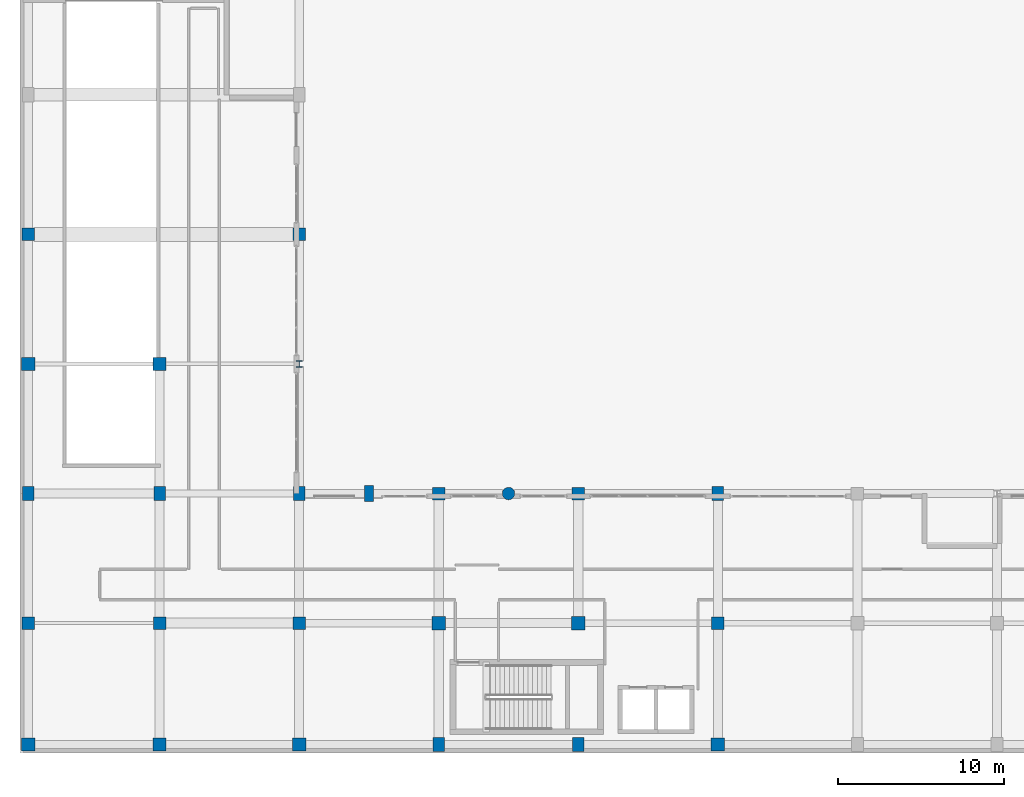
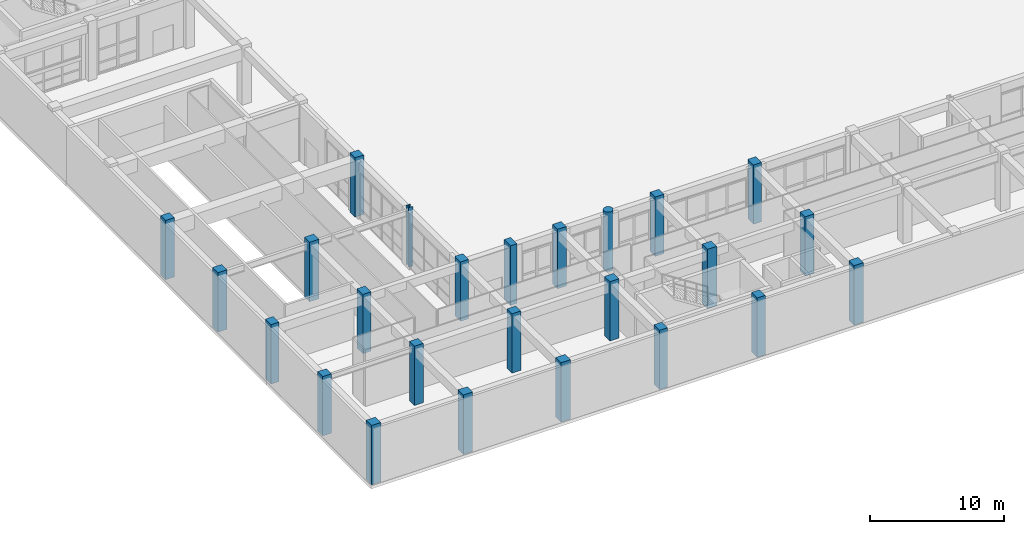
# One storey, part 1 of 148: 25 columns.
"""IFC4 building model written with IfcOpenShell, lengths in metres."""

from ifc_helpers import new_model, si_unit, direction, frame, origin, origin_2d, place, context, subcontext, project, spatial, rectangle, circle, i_section, extrude, material, material_profile, profile_set, type_object, element, save


model = new_model("IFC4")

# Units and contexts
model_context = context("Model", 3, precision=1e-05, world=origin(), true_north=direction((0.0, 1.0)))
body_context = subcontext(model_context, "Body", "Model", "MODEL_VIEW")
ifc_project = project(units=[si_unit("LENGTHUNIT", "METRE"), si_unit("AREAUNIT", "SQUARE_METRE"), si_unit("VOLUMEUNIT", "CUBIC_METRE"), si_unit("PLANEANGLEUNIT", "RADIAN"), si_unit("MASSUNIT", "GRAM", prefix="KILO")], contexts=[model_context])

# Site, building, storey
site_placement = place(None, origin())
site = spatial("IfcSite", under=ifc_project, at=site_placement, CompositionType="ELEMENT")
building_placement = place(site_placement, origin())
building = spatial("IfcBuilding", under=site, at=building_placement, Name="Quendrovan Civic Courthouse", CompositionType="ELEMENT")
storey_placement = place(building_placement, origin())
storey = spatial("IfcBuildingStorey", under=building, at=storey_placement, Name="L01", CompositionType="ELEMENT", Elevation=0.0)

# Columns
ifc_material_1 = material(Name="Precast concrete C45/55", Category="concrete")
ifc_material_profile_1 = material_profile(ifc_material_1, circle(Radius=0.375, at=origin_2d()), Name="RC-ARCADE-D750")
ifc_profile_set_1 = profile_set([ifc_material_profile_1], Name="Precast concrete C45/55")
column_type_1 = type_object("IfcColumnType", Name="COL-ARC750", PredefinedType="PILASTER", material=ifc_profile_set_1)
column_1_placement = place(storey_placement, frame((29.39990234375, 15.60009765625, 0.0), z_axis=(0.0, 0.0, 1.0), x_axis=(1.0, 0.0, 0.0)))
element("IfcColumn", 1, at=column_1_placement, inside=storey, type_object=column_type_1, Name="L01 Column PIL-C6", PredefinedType="PILASTER", context=body_context, shape_type="SweptSolid", body=[
    extrude(circle(Radius=0.375, at=origin_2d()), origin(), (0.0, 0.0, 1.0), 5.39990234375),
])
ifc_material_2 = material(Name="Concrete C45/55", Category="concrete")
ifc_material_profile_2 = material_profile(ifc_material_2, rectangle(XDim=0.550048828125, YDim=0.949951171875, at=origin_2d()), Name="RC-PIER-550x950")
ifc_profile_set_2 = profile_set([ifc_material_profile_2], Name="Concrete C45/55")
column_type_2 = type_object("IfcColumnType", Name="COL-PIER950", PredefinedType="PILASTER", material=ifc_profile_set_2)
column_2_placement = place(storey_placement, frame((21.0, 15.60009765625, 0.0), z_axis=(0.0, 0.0, 1.0), x_axis=(1.0, 0.0, 0.0)))
element("IfcColumn", 2, at=column_2_placement, inside=storey, type_object=column_type_2, Name="L01 Column PIL-C5", PredefinedType="PILASTER", context=body_context, shape_type="SweptSolid", body=[
    extrude(rectangle(XDim=0.550048828125, YDim=0.949951171875, at=origin_2d()), origin(), (0.0, 0.0, 1.0), 5.39990234375),
])
ifc_material_3 = material(Name="Concrete C40/50", Category="concrete")
ifc_material_profile_3 = material_profile(ifc_material_3, rectangle(XDim=0.699951171875, YDim=0.85009765625, at=origin_2d()), Name="RC-COL-700x850")
ifc_profile_set_3 = profile_set([ifc_material_profile_3], Name="Concrete C40/50")
column_type_3 = type_object("IfcColumnType", Name="COL-RC-700x850", PredefinedType="COLUMN", material=ifc_profile_set_3)
for number, where, z_axis, x_axis, name in (
    (3, (0.5, 15.60009765625, 0.0), (0.0, 0.0, 1.0), (1.0, 0.0, 0.0), "L01 Column 1-C"),
    (4, (8.39990234375, 15.60009765625, 0.0), (0.0, 0.0, 1.0), (1.0, 0.0, 0.0), "L01 Column 2-C"),
    (5, (16.800048828125, 15.60009765625, 0.0), (0.0, 0.0, 1.0), (1.0, 0.0, 0.0), "L01 Column 3-C"),
    (6, (25.199951171875, 0.5, 0.0), (0.0, 0.0, 1.0), (1.0, 0.0, 0.0), "L01 Column 4-A"),
    (7, (33.60009765625, 0.5, 0.0), (0.0, 0.0, 1.0), (1.0, 0.0, 0.0), "L01 Column 5-A"),
    (8, (42.0, 15.60009765625, 0.0), (0.0, 0.0, 1.0), (1.0, 0.0, 0.0), "L01 Column 6-C"),
):
    element("IfcColumn", number, at=place(storey_placement, frame(where, z_axis=z_axis, x_axis=x_axis)), inside=storey, type_object=column_type_3, Name=name, PredefinedType="COLUMN", context=body_context, shape_type="SweptSolid", body=[
        extrude(rectangle(XDim=0.699951171875, YDim=0.85009765625, at=origin_2d()), origin(), (0.0, 0.0, 1.0), 5.39990234375),
    ])
ifc_material_profile_4 = material_profile(ifc_material_2, rectangle(XDim=0.75, YDim=0.75, at=origin_2d()), Name="RC-COL-750x750")
ifc_profile_set_4 = profile_set([ifc_material_profile_4], Name="Concrete C45/55")
column_type_4 = type_object("IfcColumnType", Name="COL-RC750", PredefinedType="COLUMN", material=ifc_profile_set_4)
for number, where, z_axis, x_axis, name in (
    (9, (0.5, 7.800048828125, 0.0), (0.0, 0.0, 1.0), (1.0, 0.0, 0.0), "L01 Column 1-B"),
    (10, (0.5, 31.199951171875, 0.0), (0.0, 0.0, 1.0), (1.0, 0.0, 0.0), "L01 Column 1-E"),
    (11, (8.39990234375, 7.800048828125, 0.0), (0.0, 0.0, 1.0), (1.0, 0.0, 0.0), "L01 Column 2-B"),
    (12, (16.800048828125, 7.800048828125, 0.0), (0.0, 0.0, 1.0), (1.0, 0.0, 0.0), "L01 Column 3-B"),
    (13, (16.800048828125, 31.199951171875, 0.0), (0.0, 0.0, 1.0), (1.0, 0.0, 0.0), "L01 Column 3-E"),
    (14, (25.199951171875, 15.60009765625, 0.0), (0.0, 0.0, 1.0), (1.0, 0.0, 0.0), "L01 Column 4-C"),
    (15, (33.60009765625, 15.60009765625, 0.0), (0.0, 0.0, 1.0), (1.0, 0.0, 0.0), "L01 Column 5-C"),
    (16, (42.0, 7.800048828125, 0.0), (0.0, 0.0, 1.0), (1.0, 0.0, 0.0), "L01 Column 6-B"),
):
    element("IfcColumn", number, at=place(storey_placement, frame(where, z_axis=z_axis, x_axis=x_axis)), inside=storey, type_object=column_type_4, Name=name, PredefinedType="COLUMN", context=body_context, shape_type="SweptSolid", body=[
        extrude(rectangle(XDim=0.75, YDim=0.75, at=origin_2d()), origin(), (0.0, 0.0, 1.0), 5.39990234375),
    ])
ifc_material_profile_5 = material_profile(ifc_material_2, rectangle(XDim=0.800048828125, YDim=0.800048828125, at=origin_2d()), Name="RC-COL-800x800")
ifc_profile_set_5 = profile_set([ifc_material_profile_5], Name="Concrete C45/55")
column_type_5 = type_object("IfcColumnType", Name="COL-RC800", PredefinedType="COLUMN", material=ifc_profile_set_5)
for number, where, z_axis, x_axis, name in (
    (17, (0.5, 0.5, 0.0), (0.0, 0.0, 1.0), (1.0, 0.0, 0.0), "L01 Column 1-A"),
    (18, (0.5, 23.39990234375, 0.0), (0.0, 0.0, 1.0), (1.0, 0.0, 0.0), "L01 Column 1-D"),
    (19, (8.39990234375, 0.5, 0.0), (0.0, 0.0, 1.0), (1.0, 0.0, 0.0), "L01 Column 2-A"),
    (20, (8.39990234375, 23.39990234375, 0.0), (0.0, 0.0, 1.0), (1.0, 0.0, 0.0), "L01 Column 2-D"),
    (21, (16.800048828125, 0.5, 0.0), (0.0, 0.0, 1.0), (1.0, 0.0, 0.0), "L01 Column 3-A"),
    (22, (25.199951171875, 7.800048828125, 0.0), (0.0, 0.0, 1.0), (1.0, 0.0, 0.0), "L01 Column 4-B"),
    (23, (33.60009765625, 7.800048828125, 0.0), (0.0, 0.0, 1.0), (1.0, 0.0, 0.0), "L01 Column 5-B"),
    (24, (42.0, 0.5, 0.0), (0.0, 0.0, 1.0), (1.0, 0.0, 0.0), "L01 Column 6-A"),
):
    element("IfcColumn", number, at=place(storey_placement, frame(where, z_axis=z_axis, x_axis=x_axis)), inside=storey, type_object=column_type_5, Name=name, PredefinedType="COLUMN", context=body_context, shape_type="SweptSolid", body=[
        extrude(rectangle(XDim=0.800048828125, YDim=0.800048828125, at=origin_2d()), origin(), (0.0, 0.0, 1.0), 5.39990234375),
    ])
ifc_material_4 = material(Name="Steel ASTM A992 Grade 50", Category="steel")
ifc_material_profile_6 = material_profile(ifc_material_4, i_section(OverallWidth=0.3740234375, OverallDepth=0.3720703125, WebThickness=0.016357421875, FlangeThickness=0.026123046875, at=origin_2d()), Name="W14X132")
ifc_profile_set_6 = profile_set([ifc_material_profile_6], Name="Steel ASTM A992 Grade 50")
column_type_6 = type_object("IfcColumnType", Name="COL-STL-W14X132", PredefinedType="COLUMN", material=ifc_profile_set_6)
column_3_placement = place(storey_placement, frame((16.800048828125, 23.39990234375, 0.0), z_axis=(0.0, 0.0, 1.0), x_axis=(1.0, 0.0, 0.0)))
element("IfcColumn", 25, at=column_3_placement, inside=storey, type_object=column_type_6, Name="L01 Column 3-D", PredefinedType="COLUMN", context=body_context, shape_type="SweptSolid", body=[
    extrude(i_section(OverallWidth=0.3740234375, OverallDepth=0.3720703125, WebThickness=0.016357421875, FlangeThickness=0.026123046875, at=origin_2d()), origin(), (0.0, 0.0, 1.0), 5.39990234375),
])

save(model, "model.ifc")
